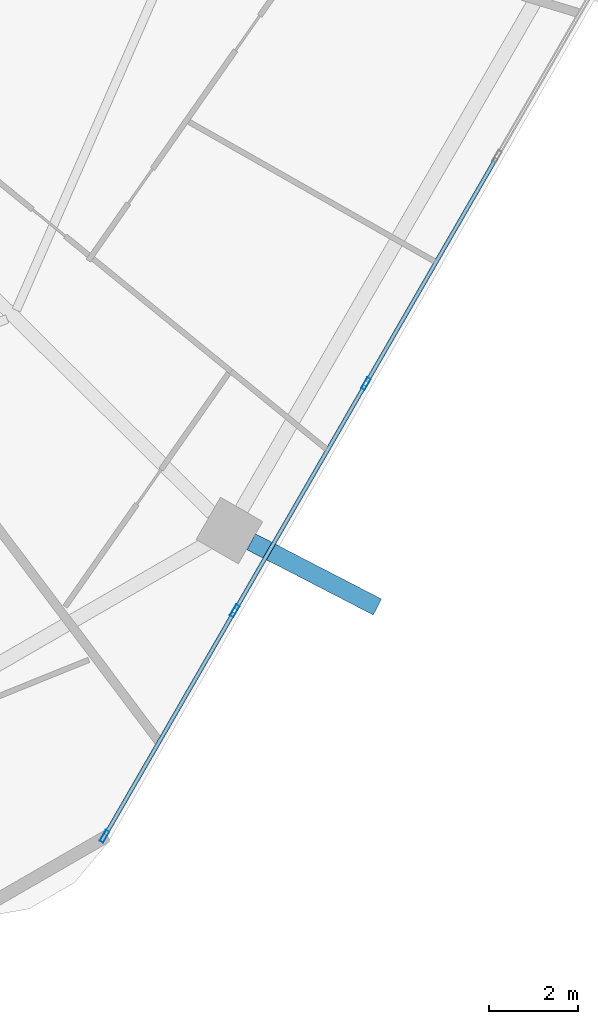
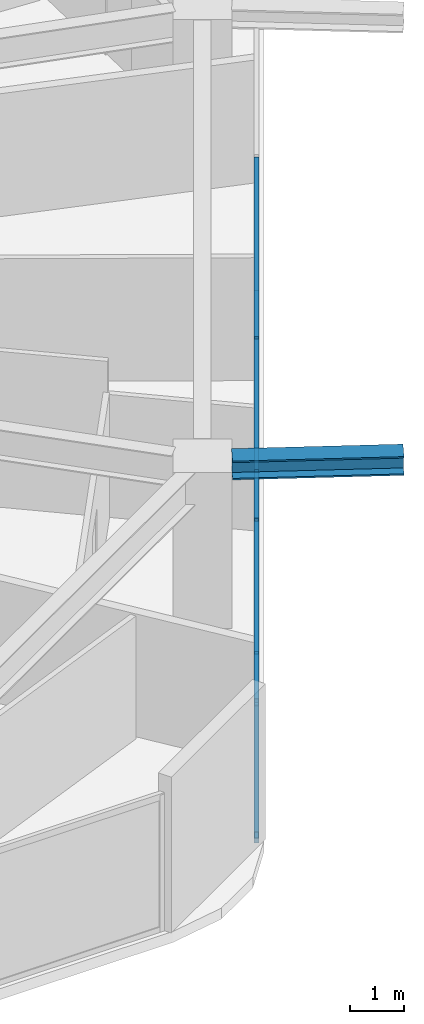
# One storey, part 9 of 32: 9 members, 1 beam, 1 element without a shape of its own.
"""IFC4 building model written with IfcOpenShell, lengths in metres."""

import ifcopenshell
import ifcopenshell.guid

model = None  # the IFC model being written
_history = None  # IfcOwnerHistory: only IFC2X3 demands one
_inside = {}  # id of a spatial element -> (the spatial element, [elements in it])
_under = {}  # id of a project, library or spatial element -> (it, [spatial elements below it])
_declared = {}  # id of a project -> (the project, [libraries it declares])
_typed = {}  # id of a type object -> (the type object, [elements of that type])
_made_of = {}  # id of a material, layer set ... -> (it, [elements and type objects made of it])


def new_model(schema):
    """Start an empty IFC model of exactly this schema.

    Asked for "IFC4X3", IfcOpenShell would pick the latest addendum, in which some entities
    have other attributes; the version numbers below select the first issue.
    IFC2X3 requires an IfcOwnerHistory on every rooted entity: one is made here for all.
    """
    global model, _history
    if schema == "IFC4X3":
        model = ifcopenshell.file(schema_version=(4, 3, 0, 0))
    else:
        model = ifcopenshell.file(schema=schema)
    _inside.clear()
    _under.clear()
    _declared.clear()
    _typed.clear()
    _made_of.clear()
    _history = None
    if model.schema == "IFC2X3":
        org = make("IfcOrganization", Name="unknown")
        user = make(
            "IfcPersonAndOrganization",
            ThePerson=make("IfcPerson", FamilyName="unknown"),
            TheOrganization=org,
        )
        app = make(
            "IfcApplication",
            ApplicationDeveloper=org,
            Version="unknown",
            ApplicationFullName="unknown",
            ApplicationIdentifier="unknown",
        )
        _history = make(
            "IfcOwnerHistory",
            OwningUser=user,
            OwningApplication=app,
            ChangeAction="ADDED",
            CreationDate=0,
        )
    return model


def make(cls, **values):
    """One entity of the class cls with the attributes given. An attribute that is None is left unset."""
    return model.create_entity(
        cls, **{name: value for name, value in values.items() if value is not None}
    )


def rooted(cls, **values):
    """An entity with a GlobalId (a new one), such as an element, a storey or a relation."""
    return make(cls, GlobalId=ifcopenshell.guid.new(), OwnerHistory=_history, **values)


def si_unit(unit_type, name, prefix=None):
    """IfcSIUnit, for example si_unit("LENGTHUNIT", "METRE", prefix="MILLI")."""
    return make("IfcSIUnit", UnitType=unit_type, Prefix=prefix, Name=name)


def assignment(units):
    """IfcUnitAssignment: the units of a project."""
    return None if units is None else make("IfcUnitAssignment", Units=units)


def point(xyz):
    """IfcCartesianPoint."""
    return None if xyz is None else make("IfcCartesianPoint", Coordinates=xyz)


def direction(xyz):
    """IfcDirection."""
    return None if xyz is None else make("IfcDirection", DirectionRatios=xyz)


def frame(location, z_axis=None, x_axis=None):
    """IfcAxis2Placement3D, a coordinate frame: its origin and axes. An axis left out is left unset."""
    return make(
        "IfcAxis2Placement3D",
        Location=point(location),
        Axis=direction(z_axis),
        RefDirection=direction(x_axis),
    )


def frame_2d(location, x_axis=None):
    """IfcAxis2Placement2D, a coordinate frame in the plane: its origin and x axis."""
    return make(
        "IfcAxis2Placement2D", Location=point(location), RefDirection=direction(x_axis)
    )


def origin():
    """The frame at (0, 0, 0) with its axes left unset."""
    return frame((0.0, 0.0, 0.0))


def origin_2d():
    """The frame at (0, 0) in the plane with its x axis left unset."""
    return frame_2d((0.0, 0.0))


def place(relative_to, where):
    """IfcLocalPlacement: puts the frame where relative to a parent placement (None: the world)."""
    return make(
        "IfcLocalPlacement", PlacementRelTo=relative_to, RelativePlacement=where
    )


def context(
    kind, dimensions, precision=None, world=None, true_north=None, identifier=None
):
    """IfcGeometricRepresentationContext, for example the 3D "Model" context."""
    return make(
        "IfcGeometricRepresentationContext",
        ContextIdentifier=identifier,
        ContextType=kind,
        CoordinateSpaceDimension=dimensions,
        Precision=precision,
        WorldCoordinateSystem=world,
        TrueNorth=true_north,
    )


def subcontext(parent, identifier, kind, view, scale=None):
    """IfcGeometricRepresentationSubContext, for example "Body" below "Model"."""
    return make(
        "IfcGeometricRepresentationSubContext",
        ContextIdentifier=identifier,
        ContextType=kind,
        ParentContext=parent,
        TargetScale=scale,
        TargetView=view,
    )


def project(units=None, contexts=None):
    """IfcProject with its units and contexts."""
    return rooted(
        "IfcProject",
        Name="project",
        RepresentationContexts=contexts,
        UnitsInContext=assignment(units),
    )


def spatial(cls, under=None, at=None, **own):
    """A site, building, storey or space (cls), placed at a placement, below another one or the project."""
    s = rooted(cls, ObjectPlacement=at, **own)
    if under is not None:
        _under.setdefault(under.id(), (under, []))[1].append(s)
    return s


def profile(cls, at=None, kind="AREA", **sizes):
    """A parametric profile (cls). Its sizes go by their IFC names, for example OverallWidth=200.0."""
    return make(cls, ProfileType=kind, Position=at, **sizes)


def hollow_rectangle(**sizes):
    """IfcRectangleHollowProfileDef."""
    return profile("IfcRectangleHollowProfileDef", **sizes)


def i_section(**sizes):
    """IfcIShapeProfileDef."""
    return profile("IfcIShapeProfileDef", **sizes)


def extrude(swept, where, along, depth):
    """IfcExtrudedAreaSolid: the profile swept, set in the frame where, extruded along a direction by depth."""
    return make(
        "IfcExtrudedAreaSolid",
        SweptArea=swept,
        Position=where,
        ExtrudedDirection=direction(along),
        Depth=depth,
    )


def shape(context_of_items, identifier, shape_type, items):
    """IfcShapeRepresentation: the items that make up one representation, for example the "Body"."""
    return make(
        "IfcShapeRepresentation",
        ContextOfItems=context_of_items,
        RepresentationIdentifier=identifier,
        RepresentationType=shape_type,
        Items=items,
    )


def material(Name=None, Category=None):
    """IfcMaterial."""
    return make("IfcMaterial", Name=Name, Category=Category)


def material_profile(
    of_material, cross_section, Name=None, Category=None, Priority=None
):
    """IfcMaterialProfile: a cross section and its material."""
    return make(
        "IfcMaterialProfile",
        Name=Name,
        Material=of_material,
        Profile=cross_section,
        Priority=Priority,
        Category=Category,
    )


def profile_set(profiles, Name=None, composite=None):
    """IfcMaterialProfileSet."""
    return make(
        "IfcMaterialProfileSet",
        Name=Name,
        MaterialProfiles=profiles,
        CompositeProfile=composite,
    )


def made_of(thing, what):
    """Note that an element or type object is made of a material, layer set ...; save() writes the relation."""
    if what is not None:
        _made_of.setdefault(what.id(), (what, []))[1].append(thing)
    return thing


def type_object(cls, material=None, **own):
    """A type object (cls), such as IfcWallType, which elements share."""
    return made_of(rooted(cls, **own), material)


def element(
    cls,
    number,
    at=None,
    inside=None,
    cuts=None,
    type_object=None,
    material=None,
    context=None,
    identifier="Body",
    shape_type=None,
    held_by="IfcProductDefinitionShape",
    body=None,
    shapes=None,
    **own,
):
    """One element of the class cls, such as IfcWall. Its Tag is "e" and its number.

    at: its placement. inside: the storey or other place that contains it. cuts: it is an
    opening in that element (IfcRelVoidsElement). A single representation is given by context,
    identifier, shape_type and body (its items); several are given by shapes. held_by: the class
    of the entity that holds the representations. save() writes the other relations.
    """
    e = rooted(cls, Tag="e%d" % number, ObjectPlacement=at, **own)
    if body is not None:
        shapes = [shape(context, identifier, shape_type, body)]
    if shapes is not None:
        e.Representation = make(held_by, Representations=shapes)
    if inside is not None:
        _inside.setdefault(inside.id(), (inside, []))[1].append(e)
    if cuts is not None:
        rooted(
            "IfcRelVoidsElement", RelatingBuildingElement=cuts, RelatedOpeningElement=e
        )
    if type_object is not None:
        _typed.setdefault(type_object.id(), (type_object, []))[1].append(e)
    return made_of(e, material)


def aggregate(whole, parts):
    """IfcRelAggregates: a whole, such as a stair, and the parts it consists of."""
    return rooted("IfcRelAggregates", RelatingObject=whole, RelatedObjects=parts)


def save(model, path):
    """Write the relations noted so far, then the file.

    IfcRelAggregates (storeys below a building ...), IfcRelContainedInSpatialStructure (elements
    in a storey), IfcRelDefinesByType, IfcRelAssociatesMaterial and IfcRelDeclares: one each for
    every whole, place, type object, material and project.
    """
    for whole, parts in _under.values():
        aggregate(whole, parts)
    for where, things in _inside.values():
        rooted(
            "IfcRelContainedInSpatialStructure",
            RelatedElements=things,
            RelatingStructure=where,
        )
    for kind, things in _typed.values():
        rooted("IfcRelDefinesByType", RelatedObjects=things, RelatingType=kind)
    for what, things in _made_of.values():
        rooted("IfcRelAssociatesMaterial", RelatedObjects=things, RelatingMaterial=what)
    for by, libraries in _declared.values():
        rooted("IfcRelDeclares", RelatingContext=by, RelatedDefinitions=libraries)
    model.write(path)


model = new_model("IFC4")

# Units and contexts
model_context = context("Model", 3, precision=1e-05, world=origin(), true_north=direction((0.0, 1.0)))
body_context = subcontext(model_context, "Body", "Model", "MODEL_VIEW")
ifc_project = project(units=[si_unit("LENGTHUNIT", "METRE"), si_unit("AREAUNIT", "SQUARE_METRE"), si_unit("VOLUMEUNIT", "CUBIC_METRE"), si_unit("PLANEANGLEUNIT", "RADIAN"), si_unit("MASSUNIT", "GRAM", prefix="KILO")], contexts=[model_context])

# Site, building, storey
site_placement = place(None, origin())
site = spatial("IfcSite", under=ifc_project, at=site_placement, CompositionType="ELEMENT")
building_placement = place(site_placement, origin())
building = spatial("IfcBuilding", under=site, at=building_placement, Name="Zuhravey Tower", CompositionType="ELEMENT")
storey_placement = place(building_placement, frame((0.0, 0.0, 111.39990234375)))
storey = spatial("IfcBuildingStorey", under=building, at=storey_placement, Name="L27", CompositionType="ELEMENT", Elevation=111.39990234375)

# Curtain wall, members
ifc_material_1 = material(Name="Thermally broken anodised aluminium", Category="aluminium")
curtain_wall_type = type_object("IfcCurtainWallType", Name="Zone 1-2 Residential Curtain Wall CW3", PredefinedType="NOTDEFINED", material=ifc_material_1)
curtain_wall_placement = place(storey_placement, origin())
curtain_wall = element("IfcCurtainWall", 1, at=curtain_wall_placement, inside=storey, type_object=curtain_wall_type, Name="L27 CW3 CW-L27-F6-1", PredefinedType="NOTDEFINED")
ifc_material_2 = material(Name="Anodised aluminium", Category="aluminium")
ifc_material_profile_1 = material_profile(ifc_material_2, hollow_rectangle(XDim=0.090087890625, YDim=0.284912109375, WallThickness=0.0048828125, at=origin_2d()), Name="ALU-RHS-90x285x5")
ifc_profile_set_1 = profile_set([ifc_material_profile_1], Name="Anodised aluminium")
member_type_1 = type_object("IfcMemberType", Name="Curtain-Wall Mullion 90x180", PredefinedType="MULLION", material=ifc_profile_set_1)
member_1_placement = place(storey_placement, frame((59.598876953125, 14.95751953125, 0.0), z_axis=(0.0, 0.0, 1.0), x_axis=(0.86602552265, -0.499999794119, 0.0)))
member_1 = element("IfcMember", 2, at=member_1_placement, type_object=member_type_1, Name="CW3 mullion 4", PredefinedType="MULLION", context=body_context, shape_type="SweptSolid", body=[
    extrude(hollow_rectangle(XDim=0.090087890625, YDim=0.284912109375, WallThickness=0.0048828125, at=origin_2d()), origin(), (0.0, 0.0, 1.0), 3.1220703125),
])
member_2_placement = place(storey_placement, frame((56.638916015625, 9.830810546875, 0.0), z_axis=(0.0, 0.0, 1.0), x_axis=(0.86602552265, -0.499999794119, 0.0)))
member_2 = element("IfcMember", 3, at=member_2_placement, type_object=member_type_1, Name="CW3 mullion 5", PredefinedType="MULLION", context=body_context, shape_type="SweptSolid", body=[
    extrude(hollow_rectangle(XDim=0.090087890625, YDim=0.284912109375, WallThickness=0.0048828125, at=origin_2d()), origin(), (0.0, 0.0, 1.0), 3.1220703125),
])
member_3_placement = place(storey_placement, frame((53.701416015625, 4.742919921875, 0.0), z_axis=(0.0, 0.0, 1.0), x_axis=(0.86602552265, -0.499999794119, 0.0)))
member_3 = element("IfcMember", 4, at=member_3_placement, type_object=member_type_1, Name="CW3 mullion 6", PredefinedType="MULLION", context=body_context, shape_type="SweptSolid", body=[
    extrude(hollow_rectangle(XDim=0.090087890625, YDim=0.284912109375, WallThickness=0.0048828125, at=origin_2d()), origin(), (0.0, 0.0, 1.0), 3.1220703125),
])
ifc_material_profile_2 = material_profile(ifc_material_2, hollow_rectangle(XDim=0.090087890625, YDim=0.14990234375, WallThickness=0.0048828125, at=origin_2d()), Name="ALU-RHS-90x150x5")
ifc_profile_set_2 = profile_set([ifc_material_profile_2], Name="Anodised aluminium")
member_type_2 = type_object("IfcMemberType", Name="Curtain-Wall Transom 90x150", PredefinedType="USERDEFINED", material=ifc_profile_set_2)
member_4_placement = place(storey_placement, frame((62.5361328125, 20.045166015625, 0.045166015625), z_axis=(-0.499981042766, -0.866036348472, 0.0), x_axis=(0.866036348472, -0.499981042766, 0.0)))
member_4 = element("IfcMember", 5, at=member_4_placement, type_object=member_type_2, Name="CW3 transom 3.1", ObjectType="TRANSOM", PredefinedType="USERDEFINED", context=body_context, shape_type="SweptSolid", body=[
    extrude(hollow_rectangle(XDim=0.090087890625, YDim=0.14990234375, WallThickness=0.0048828125, at=origin_2d()), origin(), (0.0, 0.0, 1.0), 5.829833984375),
])
member_5_placement = place(storey_placement, frame((62.5361328125, 20.045166015625, 3.0771484375), z_axis=(-0.499981042766, -0.866036348472, 0.0), x_axis=(0.866036348472, -0.499981042766, 0.0)))
member_5 = element("IfcMember", 6, at=member_5_placement, type_object=member_type_2, Name="CW3 transom 3.2", ObjectType="TRANSOM", PredefinedType="USERDEFINED", context=body_context, shape_type="SweptSolid", body=[
    extrude(hollow_rectangle(XDim=0.090087890625, YDim=0.14990234375, WallThickness=0.0048828125, at=origin_2d()), origin(), (0.0, 0.0, 1.0), 5.829833984375),
])
member_6_placement = place(storey_placement, frame((59.576416015625, 14.91845703125, 0.045166015625), z_axis=(-0.500012451049, -0.866018215049, 0.0), x_axis=(0.866018215049, -0.500012451049, 0.0)))
member_6 = element("IfcMember", 7, at=member_6_placement, type_object=member_type_2, Name="CW3 transom 4.1", ObjectType="TRANSOM", PredefinedType="USERDEFINED", context=body_context, shape_type="SweptSolid", body=[
    extrude(hollow_rectangle(XDim=0.090087890625, YDim=0.14990234375, WallThickness=0.0048828125, at=origin_2d()), origin(), (0.0, 0.0, 1.0), 5.829833984375),
])
member_7_placement = place(storey_placement, frame((59.576416015625, 14.91845703125, 3.0771484375), z_axis=(-0.500012451049, -0.866018215049, 0.0), x_axis=(0.866018215049, -0.500012451049, 0.0)))
member_7 = element("IfcMember", 8, at=member_7_placement, type_object=member_type_2, Name="CW3 transom 4.2", ObjectType="TRANSOM", PredefinedType="USERDEFINED", context=body_context, shape_type="SweptSolid", body=[
    extrude(hollow_rectangle(XDim=0.090087890625, YDim=0.14990234375, WallThickness=0.0048828125, at=origin_2d()), origin(), (0.0, 0.0, 1.0), 5.829833984375),
])
member_8_placement = place(storey_placement, frame((56.616455078125, 9.791748046875, 0.045166015625), z_axis=(-0.499992798144, -0.866029561738, 0.0), x_axis=(0.866029561738, -0.499992798144, 0.0)))
member_8 = element("IfcMember", 9, at=member_8_placement, type_object=member_type_2, Name="CW3 transom 5.1", ObjectType="TRANSOM", PredefinedType="USERDEFINED", context=body_context, shape_type="SweptSolid", body=[
    extrude(hollow_rectangle(XDim=0.090087890625, YDim=0.14990234375, WallThickness=0.0048828125, at=origin_2d()), origin(), (0.0, 0.0, 1.0), 5.78466796875),
])
member_9_placement = place(storey_placement, frame((56.616455078125, 9.791748046875, 3.0771484375), z_axis=(-0.499992798144, -0.866029561738, 0.0), x_axis=(0.866029561738, -0.499992798144, 0.0)))
member_9 = element("IfcMember", 10, at=member_9_placement, type_object=member_type_2, Name="CW3 transom 5.2", ObjectType="TRANSOM", PredefinedType="USERDEFINED", context=body_context, shape_type="SweptSolid", body=[
    extrude(hollow_rectangle(XDim=0.090087890625, YDim=0.14990234375, WallThickness=0.0048828125, at=origin_2d()), origin(), (0.0, 0.0, 1.0), 5.78466796875),
])
aggregate(curtain_wall, [member_1, member_2, member_3, member_4, member_5, member_6, member_7, member_8, member_9])

# Beam
ifc_material_3 = material(Name="Steel SM460", Category="steel")
ifc_material_profile_3 = material_profile(ifc_material_3, i_section(OverallWidth=0.406982421875, OverallDepth=0.427978515625, WebThickness=0.02001953125, FlangeThickness=0.034912109375, at=origin_2d()), Name="H-428x407x20x35")
ifc_profile_set_3 = profile_set([ifc_material_profile_3], Name="Steel SM460")
beam_type = type_object("IfcBeamType", Name="Exoskeleton Node Tie Beam H428x407", PredefinedType="BEAM", material=ifc_profile_set_3)
beam_placement = place(storey_placement, frame((57.01171875, 11.388427734375, 3.336181640625), z_axis=(0.888437298009, -0.458998003816, 0.0), x_axis=(0.458998003816, 0.888437298009, 0.0)))
element("IfcBeam", 11, at=beam_placement, inside=storey, type_object=beam_type, Name="L27 Exoskeleton Node Tie NT1-11", PredefinedType="BEAM", context=body_context, shape_type="SweptSolid", body=[
    extrude(i_section(OverallWidth=0.406982421875, OverallDepth=0.427978515625, WebThickness=0.02001953125, FlangeThickness=0.034912109375, at=origin_2d()), origin(), (0.0, 0.0, 1.0), 3.20458984375),
])

save(model, "model.ifc")
